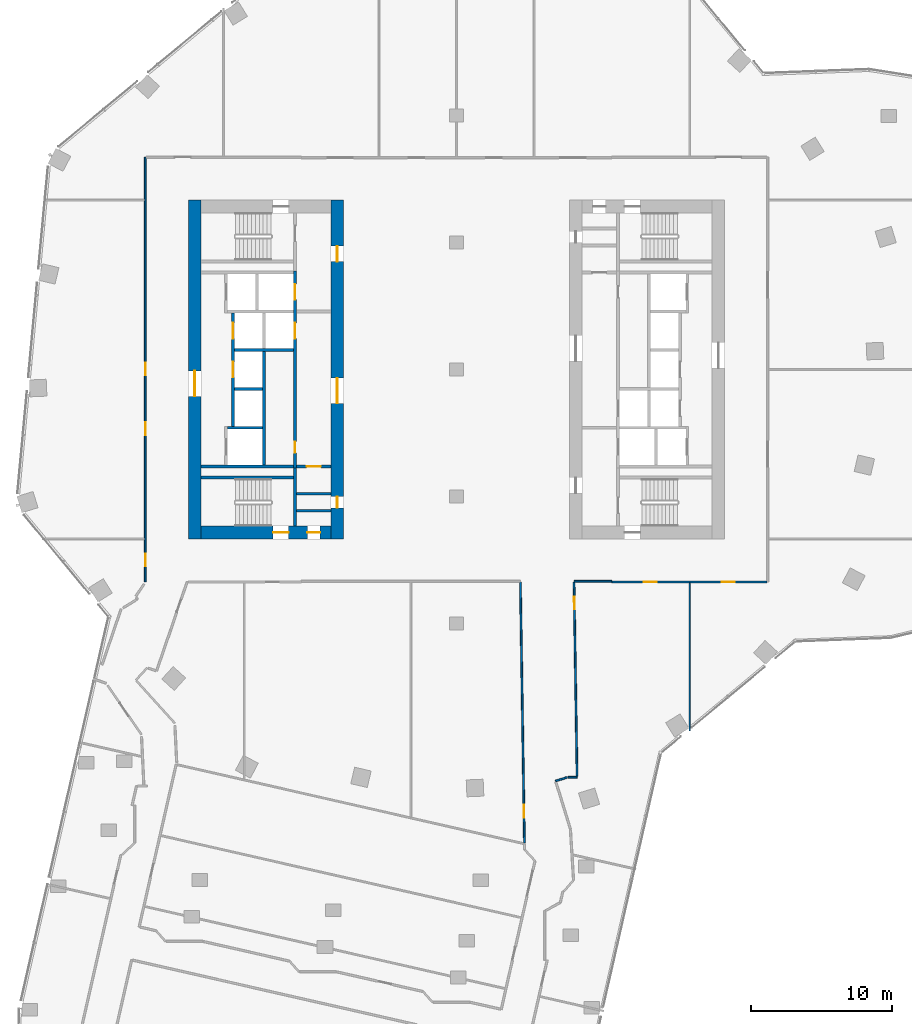
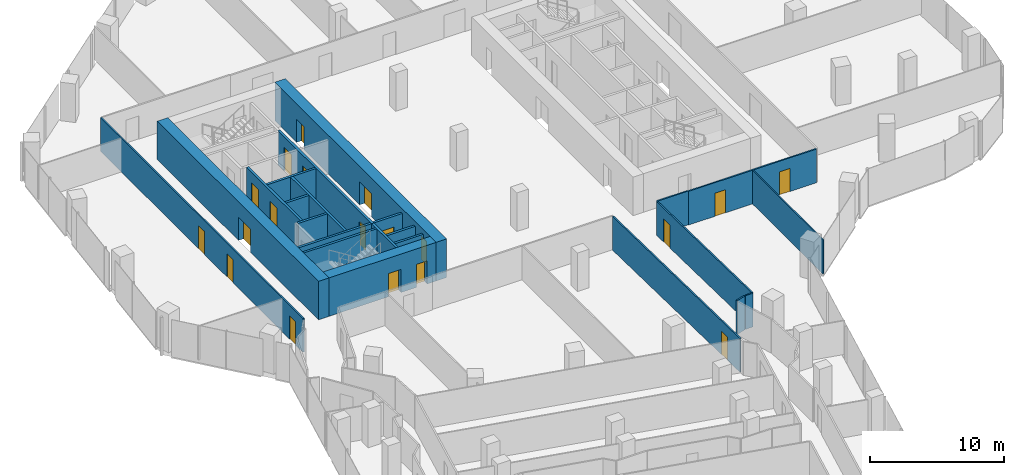
# One storey, part 20 of 24: 23 walls, 19 doors, 19 openings.
"""IFC4 building model written with IfcOpenShell, lengths in metres."""

from ifc_helpers import new_model, si_unit, direction, frame, frame_2d, origin, place, context, subcontext, project, spatial, rectangle, extrude, material, layer, layer_set, type_object, element, fill, save


model = new_model("IFC4")

# Units and contexts
model_context = context("Model", 3, precision=1e-05, world=origin(), true_north=direction((0.0, 1.0)))
body_context = subcontext(model_context, "Body", "Model", "MODEL_VIEW")
ifc_project = project(units=[si_unit("LENGTHUNIT", "METRE"), si_unit("AREAUNIT", "SQUARE_METRE"), si_unit("VOLUMEUNIT", "CUBIC_METRE"), si_unit("PLANEANGLEUNIT", "RADIAN"), si_unit("MASSUNIT", "GRAM", prefix="KILO")], contexts=[model_context])

# Site, building, storey
site_placement = place(None, origin())
site = spatial("IfcSite", under=ifc_project, at=site_placement, CompositionType="ELEMENT")
building_placement = place(site_placement, origin())
building = spatial("IfcBuilding", under=site, at=building_placement, Name="Orlundy Tower", CompositionType="ELEMENT")
storey_placement = place(building_placement, frame((0.0, 0.0, 177.60009765625)))
storey = spatial("IfcBuildingStorey", under=building, at=storey_placement, Name="L46", CompositionType="ELEMENT", Elevation=177.60009765625)

# Wall, openings, doors
ifc_material_1 = material(Name="Concrete C70/85", Category="concrete")
ifc_layer_1 = layer(ifc_material_1, 0.89990234375)
ifc_layer_set_1 = layer_set([ifc_layer_1], Name="CORE WALL 900 C70/85")
wall_type_1 = type_object("IfcWallType", Name="CORE WALL 900 C70/85", PredefinedType="SHEAR", material=ifc_layer_set_1)
wall_1_placement = place(storey_placement, frame((-18.10009765625, -11.550048828125, 0.0), z_axis=(0.0, 0.0, 1.0), x_axis=(1.0, 0.0, 0.0)))
wall_1 = element("IfcWall", 1, at=wall_1_placement, inside=storey, type_object=wall_type_1, Name="Core wall W-S L46", PredefinedType="SHEAR", context=body_context, shape_type="SweptSolid", body=[
    extrude(rectangle(XDim=9.2001953125, YDim=0.89990234375, at=frame_2d((4.60009765625, 0.0))), origin(), (0.0, 0.0, 1.0), 3.5),
])
opening_1_placement = place(wall_1_placement, frame((5.10009765625, 0.0, 0.0)))
opening_1 = element("IfcOpeningElement", 2, at=opening_1_placement, cuts=wall_1, Name="Opening 35012", PredefinedType="OPENING", context=body_context, shape_type="SweptSolid", body=[
    extrude(rectangle(XDim=1.10009765625, YDim=2.10009765625, at=frame_2d((0.550048828125, 1.050048828125))), frame((0.0, 0.4599609375, 0.0), z_axis=(0.0, -1.0, 0.0), x_axis=(1.0, 0.0, 0.0)), (0.0, 0.0, 1.0), 0.919921875),
])
opening_2_placement = place(wall_1_placement, frame((7.530029296875, 0.0, 0.0)))
opening_2 = element("IfcOpeningElement", 3, at=opening_2_placement, cuts=wall_1, Name="Opening 35014", PredefinedType="OPENING", context=body_context, shape_type="SweptSolid", body=[
    extrude(rectangle(XDim=0.89990234375, YDim=2.10009765625, at=frame_2d((0.449951171875, 1.050048828125))), frame((0.0, 0.4599609375, 0.0), z_axis=(0.0, -1.0, 0.0), x_axis=(1.0, 0.0, 0.0)), (0.0, 0.0, 1.0), 0.919921875),
])
ifc_material_2 = material(Name="Timber door set", Category="wood")
door_type_1 = type_object("IfcDoorType", Name="Room Door 900x2100", OperationType="SINGLE_SWING_LEFT", PredefinedType="DOOR", material=ifc_material_2)
door_1_placement = place(opening_2_placement, origin())
door_1 = element("IfcDoor", 4, at=door_1_placement, inside=storey, type_object=door_type_1, Name="Store door 35014", OperationType="SINGLE_SWING_RIGHT", OverallHeight=2.10009765625, OverallWidth=0.89990234375, PredefinedType="DOOR", context=body_context, shape_type="SweptSolid", body=[
    extrude(rectangle(XDim=0.89990234375, YDim=2.10009765625, at=frame_2d((0.449951171875, 1.050048828125))), frame((0.0, 0.02490234375, 0.0), z_axis=(0.0, -1.0, 0.0), x_axis=(1.0, 0.0, 0.0)), (0.0, 0.0, 1.0), 0.050048828125),
])
fill(opening_2, door_1)
ifc_material_3 = material(Name="Steel door set", Category="steel")
door_type_2 = type_object("IfcDoorType", Name="Stair Door 1100x2100", OperationType="SINGLE_SWING_LEFT", PredefinedType="DOOR", material=ifc_material_3)
door_2_placement = place(opening_1_placement, origin())
door_2 = element("IfcDoor", 5, at=door_2_placement, inside=storey, type_object=door_type_2, Name="Stair door 35012", OperationType="SINGLE_SWING_RIGHT", OverallHeight=2.10009765625, OverallWidth=1.10009765625, PredefinedType="DOOR", context=body_context, shape_type="SweptSolid", body=[
    extrude(rectangle(XDim=1.10009765625, YDim=2.10009765625, at=frame_2d((0.550048828125, 1.050048828125))), frame((0.0, 0.02490234375, 0.0), z_axis=(0.0, -1.0, 0.0), x_axis=(1.0, 0.0, 0.0)), (0.0, 0.0, 1.0), 0.050048828125),
])
fill(opening_1, door_2)

# Wall, opening, door
wall_2_placement = place(storey_placement, frame((-18.550048828125, -12.0, 0.0), z_axis=(0.0, 0.0, 1.0), x_axis=(0.0, 1.0, 0.0)))
wall_2 = element("IfcWall", 6, at=wall_2_placement, inside=storey, type_object=wall_type_1, Name="Core wall W-W L46", PredefinedType="SHEAR", context=body_context, shape_type="SweptSolid", body=[
    extrude(rectangle(XDim=24.0, YDim=0.89990234375, at=frame_2d((12.0, 0.0))), origin(), (0.0, 0.0, 1.0), 3.5),
])
opening_3_placement = place(wall_2_placement, frame((10.10009765625, 0.0, 0.0)))
opening_3 = element("IfcOpeningElement", 7, at=opening_3_placement, cuts=wall_2, Name="Opening 35009", PredefinedType="OPENING", context=body_context, shape_type="SweptSolid", body=[
    extrude(rectangle(XDim=1.800048828125, YDim=2.10009765625, at=frame_2d((0.89990234375, 1.050048828125))), frame((0.0, 0.4599609375, 0.0), z_axis=(0.0, -1.0, 0.0), x_axis=(1.0, 0.0, 0.0)), (0.0, 0.0, 1.0), 0.919921875),
])
ifc_material_4 = material(Name="Timber door set", Category="wood")
door_type_3 = type_object("IfcDoorType", Name="Lobby Door 1800x2100", OperationType="DOUBLE_DOOR_DOUBLE_SWING", PredefinedType="DOOR", material=ifc_material_4)
door_3_placement = place(opening_3_placement, origin())
door_3 = element("IfcDoor", 8, at=door_3_placement, inside=storey, type_object=door_type_3, Name="Lift lobby door 35009", OperationType="SINGLE_SWING_LEFT", OverallHeight=2.10009765625, OverallWidth=1.800048828125, PredefinedType="DOOR", context=body_context, shape_type="SweptSolid", body=[
    extrude(rectangle(XDim=1.800048828125, YDim=2.10009765625, at=frame_2d((0.89990234375, 1.050048828125))), frame((0.0, 0.02490234375, 0.0), z_axis=(0.0, -1.0, 0.0), x_axis=(1.0, 0.0, 0.0)), (0.0, 0.0, 1.0), 0.050048828125),
])
fill(opening_3, door_3)

# Wall, openings, doors
wall_3_placement = place(storey_placement, frame((-8.449951171875, -12.0, 0.0), z_axis=(0.0, 0.0, 1.0), x_axis=(0.0, 1.0, 0.0)))
wall_3 = element("IfcWall", 9, at=wall_3_placement, inside=storey, type_object=wall_type_1, Name="Core wall W-E L46", PredefinedType="SHEAR", context=body_context, shape_type="SweptSolid", body=[
    extrude(rectangle(XDim=24.0, YDim=0.89990234375, at=frame_2d((12.0, 0.0))), origin(), (0.0, 0.0, 1.0), 3.5),
])
opening_4_placement = place(wall_3_placement, frame((9.60009765625, 0.0, 0.0)))
opening_4 = element("IfcOpeningElement", 10, at=opening_4_placement, cuts=wall_3, Name="Opening 35008", PredefinedType="OPENING", context=body_context, shape_type="SweptSolid", body=[
    extrude(rectangle(XDim=1.800048828125, YDim=2.10009765625, at=frame_2d((0.89990234375, 1.050048828125))), frame((0.0, 0.4599609375, 0.0), z_axis=(0.0, -1.0, 0.0), x_axis=(1.0, 0.0, 0.0)), (0.0, 0.0, 1.0), 0.919921875),
])
opening_5_placement = place(wall_3_placement, frame((19.64990234375, 0.0, 0.0)))
opening_5 = element("IfcOpeningElement", 11, at=opening_5_placement, cuts=wall_3, Name="Opening 35010", PredefinedType="OPENING", context=body_context, shape_type="SweptSolid", body=[
    extrude(rectangle(XDim=1.10009765625, YDim=2.10009765625, at=frame_2d((0.550048828125, 1.050048828125))), frame((0.0, 0.4599609375, 0.0), z_axis=(0.0, -1.0, 0.0), x_axis=(1.0, 0.0, 0.0)), (0.0, 0.0, 1.0), 0.919921875),
])
opening_6_placement = place(wall_3_placement, frame((2.199951171875, 0.0, 0.0)))
opening_6 = element("IfcOpeningElement", 12, at=opening_6_placement, cuts=wall_3, Name="Opening 35015", PredefinedType="OPENING", context=body_context, shape_type="SweptSolid", body=[
    extrude(rectangle(XDim=0.800048828125, YDim=2.10009765625, at=frame_2d((0.39990234375, 1.050048828125))), frame((0.0, 0.4599609375, 0.0), z_axis=(0.0, -1.0, 0.0), x_axis=(1.0, 0.0, 0.0)), (0.0, 0.0, 1.0), 0.919921875),
])
ifc_material_5 = material(Name="Steel door set", Category="steel")
door_type_4 = type_object("IfcDoorType", Name="Fire-fighting Lobby Door 1100x2100", OperationType="SINGLE_SWING_LEFT", PredefinedType="DOOR", material=ifc_material_5)
door_4_placement = place(opening_5_placement, origin())
door_4 = element("IfcDoor", 13, at=door_4_placement, inside=storey, type_object=door_type_4, Name="Fire-fighting lobby door 35010", OperationType="SINGLE_SWING_RIGHT", OverallHeight=2.10009765625, OverallWidth=1.10009765625, PredefinedType="DOOR", context=body_context, shape_type="SweptSolid", body=[
    extrude(rectangle(XDim=1.10009765625, YDim=2.10009765625, at=frame_2d((0.550048828125, 1.050048828125))), frame((0.0, 0.02490234375, 0.0), z_axis=(0.0, -1.0, 0.0), x_axis=(1.0, 0.0, 0.0)), (0.0, 0.0, 1.0), 0.050048828125),
])
fill(opening_5, door_4)
door_5_placement = place(opening_4_placement, origin())
door_5 = element("IfcDoor", 14, at=door_5_placement, inside=storey, type_object=door_type_3, Name="Lift lobby door 35008", OperationType="SINGLE_SWING_LEFT", OverallHeight=2.10009765625, OverallWidth=1.800048828125, PredefinedType="DOOR", context=body_context, shape_type="SweptSolid", body=[
    extrude(rectangle(XDim=1.800048828125, YDim=2.10009765625, at=frame_2d((0.89990234375, 1.050048828125))), frame((0.0, 0.02490234375, 0.0), z_axis=(0.0, -1.0, 0.0), x_axis=(1.0, 0.0, 0.0)), (0.0, 0.0, 1.0), 0.050048828125),
])
fill(opening_4, door_5)
ifc_material_6 = material(Name="Timber door set", Category="wood")
door_type_5 = type_object("IfcDoorType", Name="Riser Door 800x2100", OperationType="SINGLE_SWING_LEFT", PredefinedType="DOOR", material=ifc_material_6)
door_6_placement = place(opening_6_placement, origin())
door_6 = element("IfcDoor", 15, at=door_6_placement, inside=storey, type_object=door_type_5, Name="Door 35015", OperationType="SINGLE_SWING_LEFT", OverallHeight=2.10009765625, OverallWidth=0.800048828125, PredefinedType="DOOR", context=body_context, shape_type="SweptSolid", body=[
    extrude(rectangle(XDim=0.800048828125, YDim=2.10009765625, at=frame_2d((0.39990234375, 1.050048828125))), frame((0.0, 0.02490234375, 0.0), z_axis=(0.0, -1.0, 0.0), x_axis=(1.0, 0.0, 0.0)), (0.0, 0.0, 1.0), 0.050048828125),
])
fill(opening_6, door_6)

# Wall
ifc_material_7 = material(Name="Gypsum board partition")
ifc_layer_2 = layer(ifc_material_7, 0.10009765625)
ifc_layer_set_2 = layer_set([ifc_layer_2], Name="Floor partition 100")
wall_type_2 = type_object("IfcWallType", Name="Floor partition 100", PredefinedType="PARTITIONING", material=ifc_layer_set_2)
wall_4_placement = place(storey_placement, frame((16.52099609375, -25.596923828125, 0.0), z_axis=(0.0, 0.0, 1.0), x_axis=(0.0, 1.0, 0.0)))
element("IfcWall", 16, at=wall_4_placement, inside=storey, type_object=wall_type_2, Name="wall-int-L46-071", PredefinedType="PARTITIONING", context=body_context, shape_type="SweptSolid", body=[
    extrude(rectangle(XDim=10.48291015625, YDim=0.10009765625, at=frame_2d((5.241455078125, 0.0))), origin(), (0.0, 0.0, 1.0), 3.059814453125),
])

# Wall, opening, door
ifc_material_8 = material(Name="Gypsum board partition, double layer")
ifc_layer_3 = layer(ifc_material_8, 0.125)
ifc_layer_set_3 = layer_set([ifc_layer_3], Name="Floor partition 125")
wall_type_3 = type_object("IfcWallType", Name="Floor partition 125", PredefinedType="PARTITIONING", material=ifc_layer_set_3)
wall_5_placement = place(storey_placement, frame((4.81103515625, -33.534912109375, 0.0), z_axis=(0.0, 0.0, 1.0), x_axis=(-0.015646006357, 0.999877593751, 0.0)))
wall_5 = element("IfcWall", 17, at=wall_5_placement, inside=storey, type_object=wall_type_3, Name="wall-int-L46-003", PredefinedType="PARTITIONING", context=body_context, shape_type="SweptSolid", body=[
    extrude(rectangle(XDim=18.47509765625, YDim=0.125, at=frame_2d((9.237548828125, 0.0))), origin(), (0.0, 0.0, 1.0), 3.059814453125),
])
opening_7_placement = place(wall_5_placement, frame((1.783203125, 0.0, 0.0)))
opening_7 = element("IfcOpeningElement", 18, at=opening_7_placement, cuts=wall_5, Name="Opening 35115", PredefinedType="OPENING", context=body_context, shape_type="SweptSolid", body=[
    extrude(rectangle(XDim=0.89990234375, YDim=2.10009765625, at=frame_2d((0.449951171875, 1.050048828125))), frame((0.0, 0.072509765625, 0.0), z_axis=(0.0, -1.0, 0.0), x_axis=(1.0, 0.0, 0.0)), (0.0, 0.0, 1.0), 0.14501953125),
])
ifc_material_9 = material(Name="Timber door leaf", Category="wood")
door_type_6 = type_object("IfcDoorType", Name="Floor door single 900 FD30S", OperationType="NOTDEFINED", PredefinedType="DOOR", material=ifc_material_9)
door_7_placement = place(opening_7_placement, origin())
door_7 = element("IfcDoor", 19, at=door_7_placement, inside=storey, type_object=door_type_6, Name="Door 35115", OperationType="SINGLE_SWING_LEFT", OverallHeight=2.10009765625, OverallWidth=0.89990234375, PredefinedType="DOOR", context=body_context, shape_type="SweptSolid", body=[
    extrude(rectangle(XDim=0.89990234375, YDim=2.10009765625, at=frame_2d((0.449951171875, 1.050048828125))), frame((0.0, 0.02490234375, 0.0), z_axis=(0.0, -1.0, 0.0), x_axis=(1.0, 0.0, 0.0)), (0.0, 0.0, 1.0), 0.050048828125),
])
fill(opening_7, door_7)

wall_6_placement = place(storey_placement, frame((8.323974609375, -15.06201171875, 0.0), z_axis=(0.0, 0.0, 1.0), x_axis=(0.015628358081, -0.999877869754, 0.0)))
wall_6 = element("IfcWall", 20, at=wall_6_placement, inside=storey, type_object=wall_type_3, Name="wall-int-L46-004", PredefinedType="PARTITIONING", context=body_context, shape_type="SweptSolid", body=[
    extrude(rectangle(XDim=13.7626953125, YDim=0.125, at=frame_2d((6.88134765625, 0.0))), origin(), (0.0, 0.0, 1.0), 3.059814453125),
])
opening_8_placement = place(wall_6_placement, frame((1.03759765625, 0.0, 0.0)))
opening_8 = element("IfcOpeningElement", 21, at=opening_8_placement, cuts=wall_6, Name="Opening 35116", PredefinedType="OPENING", context=body_context, shape_type="SweptSolid", body=[
    extrude(rectangle(XDim=0.89990234375, YDim=2.10009765625, at=frame_2d((0.449951171875, 1.050048828125))), frame((0.0, 0.072509765625, 0.0), z_axis=(0.0, -1.0, 0.0), x_axis=(1.0, 0.0, 0.0)), (0.0, 0.0, 1.0), 0.14501953125),
])
door_8_placement = place(opening_8_placement, origin())
door_8 = element("IfcDoor", 22, at=door_8_placement, inside=storey, type_object=door_type_6, Name="Door 35116", OperationType="SINGLE_SWING_LEFT", OverallHeight=2.10009765625, OverallWidth=0.89990234375, PredefinedType="DOOR", context=body_context, shape_type="SweptSolid", body=[
    extrude(rectangle(XDim=0.89990234375, YDim=2.10009765625, at=frame_2d((0.449951171875, 1.050048828125))), frame((0.0, 0.02490234375, 0.0), z_axis=(0.0, -1.0, 0.0), x_axis=(1.0, 0.0, 0.0)), (0.0, 0.0, 1.0), 0.050048828125),
])
fill(opening_8, door_8)

# Wall, openings, doors
wall_7_placement = place(storey_placement, frame((21.988037109375, -15.051025390625, 0.0), z_axis=(0.0, 0.0, 1.0), x_axis=(-1.0, 0.0, 0.0)))
wall_7 = element("IfcWall", 23, at=wall_7_placement, inside=storey, type_object=wall_type_3, Name="wall-int-L46-038", PredefinedType="PARTITIONING", context=body_context, shape_type="SweptSolid", body=[
    extrude(rectangle(XDim=10.9970703125, YDim=0.125, at=frame_2d((5.49853515625, 0.0))), origin(), (0.0, 0.0, 1.0), 3.059814453125),
])
opening_9_placement = place(wall_7_placement, frame((7.81640625, 0.0, 0.0)))
opening_9 = element("IfcOpeningElement", 24, at=opening_9_placement, cuts=wall_7, Name="Opening 35117", PredefinedType="OPENING", context=body_context, shape_type="SweptSolid", body=[
    extrude(rectangle(XDim=0.89990234375, YDim=2.10009765625, at=frame_2d((0.449951171875, 1.050048828125))), frame((0.0, 0.072509765625, 0.0), z_axis=(0.0, -1.0, 0.0), x_axis=(1.0, 0.0, 0.0)), (0.0, 0.0, 1.0), 0.14501953125),
])
opening_10_placement = place(wall_7_placement, frame((2.28759765625, 0.0, 0.0)))
opening_10 = element("IfcOpeningElement", 25, at=opening_10_placement, cuts=wall_7, Name="Opening 35118", PredefinedType="OPENING", context=body_context, shape_type="SweptSolid", body=[
    extrude(rectangle(XDim=0.89990234375, YDim=2.10009765625, at=frame_2d((0.449951171875, 1.050048828125))), frame((0.0, 0.072509765625, 0.0), z_axis=(0.0, -1.0, 0.0), x_axis=(1.0, 0.0, 0.0)), (0.0, 0.0, 1.0), 0.14501953125),
])
door_9_placement = place(opening_9_placement, origin())
door_9 = element("IfcDoor", 26, at=door_9_placement, inside=storey, type_object=door_type_6, Name="Door 35117", OperationType="SINGLE_SWING_RIGHT", OverallHeight=2.10009765625, OverallWidth=0.89990234375, PredefinedType="DOOR", context=body_context, shape_type="SweptSolid", body=[
    extrude(rectangle(XDim=0.89990234375, YDim=2.10009765625, at=frame_2d((0.449951171875, 1.050048828125))), frame((0.0, 0.02490234375, 0.0), z_axis=(0.0, -1.0, 0.0), x_axis=(1.0, 0.0, 0.0)), (0.0, 0.0, 1.0), 0.050048828125),
])
fill(opening_9, door_9)
door_10_placement = place(opening_10_placement, origin())
door_10 = element("IfcDoor", 27, at=door_10_placement, inside=storey, type_object=door_type_6, Name="Door 35118", OperationType="SINGLE_SWING_LEFT", OverallHeight=2.10009765625, OverallWidth=0.89990234375, PredefinedType="DOOR", context=body_context, shape_type="SweptSolid", body=[
    extrude(rectangle(XDim=0.89990234375, YDim=2.10009765625, at=frame_2d((0.449951171875, 1.050048828125))), frame((0.0, 0.02490234375, 0.0), z_axis=(0.0, -1.0, 0.0), x_axis=(1.0, 0.0, 0.0)), (0.0, 0.0, 1.0), 0.050048828125),
])
fill(opening_10, door_10)

# Walls
wall_8_placement = place(storey_placement, frame((8.322998046875, -15.0, 0.0), z_axis=(0.0, 0.0, 1.0), x_axis=(0.999999932961, -0.000366166215, 0.0)))
element("IfcWall", 28, at=wall_8_placement, inside=storey, type_object=wall_type_3, Name="wall-int-L46-040", PredefinedType="PARTITIONING", context=body_context, shape_type="SweptSolid", body=[
    extrude(rectangle(XDim=2.6669921875, YDim=0.125, at=frame_2d((1.33349609375, 0.0))), origin(), (0.0, 0.0, 1.0), 3.059814453125),
])
wall_9_placement = place(storey_placement, frame((7.902099609375, -28.89501953125, 0.0), z_axis=(0.0, 0.0, 1.0), x_axis=(0.999876922486, 0.015688845703, 0.0)))
element("IfcWall", 29, at=wall_9_placement, inside=storey, type_object=wall_type_3, Name="wall-int-L46-050", PredefinedType="PARTITIONING", context=body_context, shape_type="SweptSolid", body=[
    extrude(rectangle(XDim=0.637939453125, YDim=0.125, at=frame_2d((0.31884765625, 0.0))), origin(), (0.0, 0.0, 1.0), 3.059814453125),
])
wall_10_placement = place(storey_placement, frame((7.01611328125, -29.15087890625, 0.0), z_axis=(0.0, 0.0, 1.0), x_axis=(0.955337275677, 0.295517663943, 0.0)))
element("IfcWall", 30, at=wall_10_placement, inside=storey, type_object=wall_type_3, Name="wall-int-L46-052", PredefinedType="PARTITIONING", context=body_context, shape_type="SweptSolid", body=[
    extrude(rectangle(XDim=0.862548828125, YDim=0.125, at=frame_2d((0.43115234375, 0.0))), origin(), (0.0, 0.0, 1.0), 3.059814453125),
])

# Wall, openings, doors
wall_11_placement = place(storey_placement, frame((-22.050048828125, -15.051025390625, 0.0), z_axis=(0.0, 0.0, 1.0), x_axis=(0.0, 1.0, 0.0)))
wall_11 = element("IfcWall", 31, at=wall_11_placement, inside=storey, type_object=wall_type_3, Name="wall-int-L46-083", PredefinedType="PARTITIONING", context=body_context, shape_type="SweptSolid", body=[
    extrude(rectangle(XDim=30.10205078125, YDim=0.125, at=frame_2d((15.051025390625, 0.0))), origin(), (0.0, 0.0, 1.0), 3.059814453125),
])
opening_11_placement = place(wall_11_placement, frame((10.40087890625, 0.0, 0.0)))
opening_11 = element("IfcOpeningElement", 32, at=opening_11_placement, cuts=wall_11, Name="Opening 35109", PredefinedType="OPENING", context=body_context, shape_type="SweptSolid", body=[
    extrude(rectangle(XDim=0.89990234375, YDim=2.10009765625, at=frame_2d((0.449951171875, 1.050048828125))), frame((0.0, 0.072509765625, 0.0), z_axis=(0.0, -1.0, 0.0), x_axis=(1.0, 0.0, 0.0)), (0.0, 0.0, 1.0), 0.14501953125),
])
opening_12_placement = place(wall_11_placement, frame((14.65087890625, 0.0, 0.0)))
opening_12 = element("IfcOpeningElement", 33, at=opening_12_placement, cuts=wall_11, Name="Opening 35110", PredefinedType="OPENING", context=body_context, shape_type="SweptSolid", body=[
    extrude(rectangle(XDim=0.89990234375, YDim=2.10009765625, at=frame_2d((0.449951171875, 1.050048828125))), frame((0.0, 0.072509765625, 0.0), z_axis=(0.0, -1.0, 0.0), x_axis=(1.0, 0.0, 0.0)), (0.0, 0.0, 1.0), 0.14501953125),
])
opening_13_placement = place(wall_11_placement, frame((1.10009765625, 0.0, 0.0)))
opening_13 = element("IfcOpeningElement", 34, at=opening_13_placement, cuts=wall_11, Name="Opening 35111", PredefinedType="OPENING", context=body_context, shape_type="SweptSolid", body=[
    extrude(rectangle(XDim=0.89990234375, YDim=2.10009765625, at=frame_2d((0.449951171875, 1.050048828125))), frame((0.0, 0.072509765625, 0.0), z_axis=(0.0, -1.0, 0.0), x_axis=(1.0, 0.0, 0.0)), (0.0, 0.0, 1.0), 0.14501953125),
])
door_11_placement = place(opening_11_placement, origin())
door_11 = element("IfcDoor", 35, at=door_11_placement, inside=storey, type_object=door_type_6, Name="Door 35109", OperationType="SINGLE_SWING_LEFT", OverallHeight=2.10009765625, OverallWidth=0.89990234375, PredefinedType="DOOR", context=body_context, shape_type="SweptSolid", body=[
    extrude(rectangle(XDim=0.89990234375, YDim=2.10009765625, at=frame_2d((0.449951171875, 1.050048828125))), frame((0.0, 0.02490234375, 0.0), z_axis=(0.0, -1.0, 0.0), x_axis=(1.0, 0.0, 0.0)), (0.0, 0.0, 1.0), 0.050048828125),
])
fill(opening_11, door_11)
door_12_placement = place(opening_12_placement, origin())
door_12 = element("IfcDoor", 36, at=door_12_placement, inside=storey, type_object=door_type_6, Name="Door 35110", OperationType="SINGLE_SWING_RIGHT", OverallHeight=2.10009765625, OverallWidth=0.89990234375, PredefinedType="DOOR", context=body_context, shape_type="SweptSolid", body=[
    extrude(rectangle(XDim=0.89990234375, YDim=2.10009765625, at=frame_2d((0.449951171875, 1.050048828125))), frame((0.0, 0.02490234375, 0.0), z_axis=(0.0, -1.0, 0.0), x_axis=(1.0, 0.0, 0.0)), (0.0, 0.0, 1.0), 0.050048828125),
])
fill(opening_12, door_12)
door_13_placement = place(opening_13_placement, origin())
door_13 = element("IfcDoor", 37, at=door_13_placement, inside=storey, type_object=door_type_6, Name="Door 35111", OperationType="SINGLE_SWING_LEFT", OverallHeight=2.10009765625, OverallWidth=0.89990234375, PredefinedType="DOOR", context=body_context, shape_type="SweptSolid", body=[
    extrude(rectangle(XDim=0.89990234375, YDim=2.10009765625, at=frame_2d((0.449951171875, 1.050048828125))), frame((0.0, 0.02490234375, 0.0), z_axis=(0.0, -1.0, 0.0), x_axis=(1.0, 0.0, 0.0)), (0.0, 0.0, 1.0), 0.050048828125),
])
fill(opening_13, door_13)

# Walls
ifc_material_10 = material(Name="Concrete C40/50", Category="concrete")
ifc_layer_4 = layer(ifc_material_10, 0.199951171875)
ifc_layer_set_4 = layer_set([ifc_layer_4], Name="Load-bearing Shaft Wall 200")
wall_type_4 = type_object("IfcWallType", Name="Load-bearing Shaft Wall 200", PredefinedType="SOLIDWALL", material=ifc_layer_set_4)
wall_12_placement = place(storey_placement, frame((-11.43994140625, -11.10009765625, 0.0), z_axis=(0.0, 0.0, 1.0), x_axis=(0.0, 1.0, 0.0)))
element("IfcWall", 38, at=wall_12_placement, inside=storey, type_object=wall_type_4, Name="Shaft wall W35-stair-end-s", PredefinedType="SOLIDWALL", context=body_context, shape_type="SweptSolid", body=[
    extrude(rectangle(XDim=4.125, YDim=0.199951171875, at=frame_2d((2.0625, 0.0))), origin(), (0.0, 0.0, 1.0), 3.079833984375),
])
wall_13_placement = place(storey_placement, frame((-11.5400390625, -7.64990234375, 0.0), z_axis=(0.0, 0.0, 1.0), x_axis=(-1.0, 0.0, 0.0)))
element("IfcWall", 39, at=wall_13_placement, inside=storey, type_object=wall_type_4, Name="Shaft wall W35-stair-side-s", PredefinedType="SOLIDWALL", context=body_context, shape_type="SweptSolid", body=[
    extrude(rectangle(XDim=6.56005859375, YDim=0.199951171875, at=frame_2d((3.280029296875, 0.0))), origin(), (0.0, 0.0, 1.0), 3.079833984375),
])

# Wall, opening, door
ifc_material_11 = material(Name="Gypsum board partition on steel studs", Category="steel")
ifc_layer_5 = layer(ifc_material_11, 0.199951171875)
ifc_layer_set_5 = layer_set([ifc_layer_5], Name="Partition 200")
wall_type_5 = type_object("IfcWallType", Name="Partition 200", PredefinedType="PARTITIONING", material=ifc_layer_set_5)
wall_14_placement = place(storey_placement, frame((-8.89990234375, -6.875, 0.0), z_axis=(0.0, 0.0, 1.0), x_axis=(-1.0, 0.0, 0.0)))
wall_14 = element("IfcWall", 40, at=wall_14_placement, inside=storey, type_object=wall_type_5, Name="Partition wall W35-end-s", PredefinedType="PARTITIONING", context=body_context, shape_type="SweptSolid", body=[
    extrude(rectangle(XDim=2.440185546875, YDim=0.199951171875, at=frame_2d((1.22021484375, 0.0))), origin(), (0.0, 0.0, 1.0), 3.079833984375),
])
opening_14_placement = place(wall_14_placement, frame((0.719970703125, 0.0, 0.0)))
opening_14 = element("IfcOpeningElement", 41, at=opening_14_placement, cuts=wall_14, Name="Opening 35016", PredefinedType="OPENING", context=body_context, shape_type="SweptSolid", body=[
    extrude(rectangle(XDim=1.0, YDim=2.10009765625, at=frame_2d((0.5, 1.050048828125))), frame((0.0, 0.110107421875, 0.0), z_axis=(0.0, -1.0, 0.0), x_axis=(1.0, 0.0, 0.0)), (0.0, 0.0, 1.0), 0.22021484375),
])
ifc_material_12 = material(Name="Timber door set", Category="wood")
door_type_7 = type_object("IfcDoorType", Name="Accessible Door 1000x2100", OperationType="SINGLE_SWING_LEFT", PredefinedType="DOOR", material=ifc_material_12)
door_14_placement = place(opening_14_placement, origin())
door_14 = element("IfcDoor", 42, at=door_14_placement, inside=storey, type_object=door_type_7, Name="Accessible WC door 35016", OperationType="SINGLE_SWING_RIGHT", OverallHeight=2.10009765625, OverallWidth=1.0, PredefinedType="DOOR", context=body_context, shape_type="SweptSolid", body=[
    extrude(rectangle(XDim=1.0, YDim=2.10009765625, at=frame_2d((0.5, 1.050048828125))), frame((0.0, 0.02490234375, 0.0), z_axis=(0.0, -1.0, 0.0), x_axis=(1.0, 0.0, 0.0)), (0.0, 0.0, 1.0), 0.050048828125),
])
fill(opening_14, door_14)

# Walls
for number, where, z_axis, x_axis, name in (
    (43, (-8.89990234375, -10.0, 0.0), (0.0, 0.0, 1.0), (-1.0, 0.0, 0.0), "Partition wall W35-room-s0"),
    (44, (-8.89990234375, -8.800048828125, 0.0), (0.0, 0.0, 1.0), (-1.0, 0.0, 0.0), "Partition wall W35-room-s1"),
):
    element("IfcWall", number, at=place(storey_placement, frame(where, z_axis=z_axis, x_axis=x_axis)), inside=storey, type_object=wall_type_5, Name=name, PredefinedType="PARTITIONING", context=body_context, shape_type="SweptSolid", body=[
        extrude(rectangle(XDim=2.440185546875, YDim=0.199951171875, at=frame_2d((1.22021484375, 0.0))), origin(), (0.0, 0.0, 1.0), 3.079833984375),
    ])
ifc_material_13 = material(Name="Fire-rated blockwork shaft wall", Category="masonry")
ifc_layer_6 = layer(ifc_material_13, 0.199951171875)
ifc_layer_set_6 = layer_set([ifc_layer_6], Name="Shaft Wall 200")
wall_type_6 = type_object("IfcWallType", Name="Shaft Wall 200", PredefinedType="SOLIDWALL", material=ifc_layer_set_6)
wall_15_placement = place(storey_placement, frame((-11.5400390625, -6.875, 0.0), z_axis=(0.0, 0.0, 1.0), x_axis=(-1.0, 0.0, 0.0)))
element("IfcWall", 45, at=wall_15_placement, inside=storey, type_object=wall_type_6, Name="Shaft wall W35-zone-s", PredefinedType="SOLIDWALL", context=body_context, shape_type="SweptSolid", body=[
    extrude(rectangle(XDim=6.56005859375, YDim=0.199951171875, at=frame_2d((3.280029296875, 0.0))), origin(), (0.0, 0.0, 1.0), 3.079833984375),
])
wall_16_placement = place(storey_placement, frame((-13.739990234375, -4.125, 0.0), z_axis=(0.0, 0.0, 1.0), x_axis=(-1.0, 0.0, 0.0)))
element("IfcWall", 46, at=wall_16_placement, inside=storey, type_object=wall_type_6, Name="Shaft wall W35-cross-4.125", PredefinedType="SOLIDWALL", context=body_context, shape_type="SweptSolid", body=[
    extrude(rectangle(XDim=2.5, YDim=0.199951171875, at=frame_2d((1.25, 0.0))), origin(), (0.0, 0.0, 1.0), 3.079833984375),
])
wall_17_placement = place(storey_placement, frame((-13.739990234375, -1.375, 0.0), z_axis=(0.0, 0.0, 1.0), x_axis=(-1.0, 0.0, 0.0)))
element("IfcWall", 47, at=wall_17_placement, inside=storey, type_object=wall_type_6, Name="Shaft wall W35-cross-1.375", PredefinedType="SOLIDWALL", context=body_context, shape_type="SweptSolid", body=[
    extrude(rectangle(XDim=2.0, YDim=0.199951171875, at=frame_2d((1.0, 0.0))), origin(), (0.0, 0.0, 1.0), 3.079833984375),
])
wall_18_placement = place(storey_placement, frame((-11.5400390625, 1.375, 0.0), z_axis=(0.0, 0.0, 1.0), x_axis=(-1.0, 0.0, 0.0)))
element("IfcWall", 48, at=wall_18_placement, inside=storey, type_object=wall_type_6, Name="Shaft wall W35-cross+1.375", PredefinedType="SOLIDWALL", context=body_context, shape_type="SweptSolid", body=[
    extrude(rectangle(XDim=4.199951171875, YDim=0.199951171875, at=frame_2d((2.10009765625, 0.0))), origin(), (0.0, 0.0, 1.0), 3.079833984375),
])

# Wall, openings, doors
wall_19_placement = place(storey_placement, frame((-11.43994140625, -6.97509765625, 0.0), z_axis=(0.0, 0.0, 1.0), x_axis=(0.0, 1.0, 0.0)))
wall_19 = element("IfcWall", 49, at=wall_19_placement, inside=storey, type_object=wall_type_6, Name="Shaft wall W35-front-h", PredefinedType="SOLIDWALL", context=body_context, shape_type="SweptSolid", body=[
    extrude(rectangle(XDim=13.9501953125, YDim=0.199951171875, at=frame_2d((6.97509765625, 0.0))), origin(), (0.0, 0.0, 1.0), 3.079833984375),
])
opening_15_placement = place(wall_19_placement, frame((9.175048828125, 0.0, 0.0)))
opening_15 = element("IfcOpeningElement", 50, at=opening_15_placement, cuts=wall_19, Name="Opening 35003", PredefinedType="OPENING", context=body_context, shape_type="SweptSolid", body=[
    extrude(rectangle(XDim=1.10009765625, YDim=2.10009765625, at=frame_2d((0.550048828125, 1.050048828125))), frame((0.0, 0.110107421875, 0.0), z_axis=(0.0, -1.0, 0.0), x_axis=(1.0, 0.0, 0.0)), (0.0, 0.0, 1.0), 0.22021484375),
])
opening_16_placement = place(wall_19_placement, frame((11.925048828125, 0.0, 0.0)))
opening_16 = element("IfcOpeningElement", 51, at=opening_16_placement, cuts=wall_19, Name="Opening 35005", PredefinedType="OPENING", context=body_context, shape_type="SweptSolid", body=[
    extrude(rectangle(XDim=1.10009765625, YDim=2.10009765625, at=frame_2d((0.550048828125, 1.050048828125))), frame((0.0, 0.110107421875, 0.0), z_axis=(0.0, -1.0, 0.0), x_axis=(1.0, 0.0, 0.0)), (0.0, 0.0, 1.0), 0.22021484375),
])
opening_17_placement = place(wall_19_placement, frame((1.074951171875, 0.0, 0.0)))
opening_17 = element("IfcOpeningElement", 52, at=opening_17_placement, cuts=wall_19, Name="Opening 35007", PredefinedType="OPENING", context=body_context, shape_type="SweptSolid", body=[
    extrude(rectangle(XDim=0.800048828125, YDim=2.10009765625, at=frame_2d((0.39990234375, 1.050048828125))), frame((0.0, 0.110107421875, 0.0), z_axis=(0.0, -1.0, 0.0), x_axis=(1.0, 0.0, 0.0)), (0.0, 0.0, 1.0), 0.22021484375),
])
ifc_material_14 = material(Name="Steel door set", Category="steel")
door_type_8 = type_object("IfcDoorType", Name="Landing Door 1100x2100", OperationType="DOUBLE_DOOR_SLIDING", PredefinedType="DOOR", material=ifc_material_14)
door_15_placement = place(opening_15_placement, origin())
door_15 = element("IfcDoor", 53, at=door_15_placement, inside=storey, type_object=door_type_8, Name="Lift landing door LP-12 35003", OperationType="DOUBLE_DOOR_SLIDING", OverallHeight=2.10009765625, OverallWidth=1.10009765625, PredefinedType="DOOR", context=body_context, shape_type="SweptSolid", body=[
    extrude(rectangle(XDim=1.10009765625, YDim=2.10009765625, at=frame_2d((0.550048828125, 1.050048828125))), frame((0.0, 0.02490234375, 0.0), z_axis=(0.0, -1.0, 0.0), x_axis=(1.0, 0.0, 0.0)), (0.0, 0.0, 1.0), 0.050048828125),
])
fill(opening_15, door_15)
door_16_placement = place(opening_16_placement, origin())
door_16 = element("IfcDoor", 54, at=door_16_placement, inside=storey, type_object=door_type_8, Name="Lift landing door FL1 35005", OperationType="DOUBLE_DOOR_SLIDING", OverallHeight=2.10009765625, OverallWidth=1.10009765625, PredefinedType="DOOR", context=body_context, shape_type="SweptSolid", body=[
    extrude(rectangle(XDim=1.10009765625, YDim=2.10009765625, at=frame_2d((0.550048828125, 1.050048828125))), frame((0.0, 0.02490234375, 0.0), z_axis=(0.0, -1.0, 0.0), x_axis=(1.0, 0.0, 0.0)), (0.0, 0.0, 1.0), 0.050048828125),
])
fill(opening_16, door_16)
door_17_placement = place(opening_17_placement, origin())
door_17 = element("IfcDoor", 55, at=door_17_placement, inside=storey, type_object=door_type_5, Name="Telecom Room door 35007", OperationType="SINGLE_SWING_LEFT", OverallHeight=2.10009765625, OverallWidth=0.800048828125, PredefinedType="DOOR", context=body_context, shape_type="SweptSolid", body=[
    extrude(rectangle(XDim=0.800048828125, YDim=2.10009765625, at=frame_2d((0.39990234375, 1.050048828125))), frame((0.0, 0.02490234375, 0.0), z_axis=(0.0, -1.0, 0.0), x_axis=(1.0, 0.0, 0.0)), (0.0, 0.0, 1.0), 0.050048828125),
])
fill(opening_17, door_17)

# Wall
wall_20_placement = place(storey_placement, frame((-13.639892578125, -6.77490234375, 0.0), z_axis=(0.0, 0.0, 1.0), x_axis=(0.0, 1.0, 0.0)))
element("IfcWall", 56, at=wall_20_placement, inside=storey, type_object=wall_type_6, Name="Shaft wall W35-mid-a", PredefinedType="SOLIDWALL", context=body_context, shape_type="SweptSolid", body=[
    extrude(rectangle(XDim=8.0498046875, YDim=0.199951171875, at=frame_2d((4.02490234375, 0.0))), origin(), (0.0, 0.0, 1.0), 3.079833984375),
])

# Wall, openings, doors
wall_21_placement = place(storey_placement, frame((-15.840087890625, -4.02490234375, 0.0), z_axis=(0.0, 0.0, 1.0), x_axis=(0.0, 1.0, 0.0)))
wall_21 = element("IfcWall", 57, at=wall_21_placement, inside=storey, type_object=wall_type_6, Name="Shaft wall W35-front-o-b", PredefinedType="SOLIDWALL", context=body_context, shape_type="SweptSolid", body=[
    extrude(rectangle(XDim=8.0498046875, YDim=0.199951171875, at=frame_2d((4.02490234375, 0.0))), origin(), (0.0, 0.0, 1.0), 3.079833984375),
])
opening_18_placement = place(wall_21_placement, frame((3.47509765625, 0.0, 0.0)))
opening_18 = element("IfcOpeningElement", 58, at=opening_18_placement, cuts=wall_21, Name="Opening 35002", PredefinedType="OPENING", context=body_context, shape_type="SweptSolid", body=[
    extrude(rectangle(XDim=1.10009765625, YDim=2.10009765625, at=frame_2d((0.550048828125, 1.050048828125))), frame((0.0, 0.110107421875, 0.0), z_axis=(0.0, -1.0, 0.0), x_axis=(1.0, 0.0, 0.0)), (0.0, 0.0, 1.0), 0.22021484375),
])
opening_19_placement = place(wall_21_placement, frame((6.22509765625, 0.0, 0.0)))
opening_19 = element("IfcOpeningElement", 59, at=opening_19_placement, cuts=wall_21, Name="Opening 35004", PredefinedType="OPENING", context=body_context, shape_type="SweptSolid", body=[
    extrude(rectangle(XDim=1.10009765625, YDim=2.10009765625, at=frame_2d((0.550048828125, 1.050048828125))), frame((0.0, 0.110107421875, 0.0), z_axis=(0.0, -1.0, 0.0), x_axis=(1.0, 0.0, 0.0)), (0.0, 0.0, 1.0), 0.22021484375),
])
door_18_placement = place(opening_18_placement, origin())
door_18 = element("IfcDoor", 60, at=door_18_placement, inside=storey, type_object=door_type_8, Name="Lift landing door LP-11 35002", OperationType="DOUBLE_DOOR_SLIDING", OverallHeight=2.10009765625, OverallWidth=1.10009765625, PredefinedType="DOOR", context=body_context, shape_type="SweptSolid", body=[
    extrude(rectangle(XDim=1.10009765625, YDim=2.10009765625, at=frame_2d((0.550048828125, 1.050048828125))), frame((0.0, 0.02490234375, 0.0), z_axis=(0.0, -1.0, 0.0), x_axis=(1.0, 0.0, 0.0)), (0.0, 0.0, 1.0), 0.050048828125),
])
fill(opening_18, door_18)
door_19_placement = place(opening_19_placement, origin())
door_19 = element("IfcDoor", 61, at=door_19_placement, inside=storey, type_object=door_type_8, Name="Lift landing door LP-13 35004", OperationType="DOUBLE_DOOR_SLIDING", OverallHeight=2.10009765625, OverallWidth=1.10009765625, PredefinedType="DOOR", context=body_context, shape_type="SweptSolid", body=[
    extrude(rectangle(XDim=1.10009765625, YDim=2.10009765625, at=frame_2d((0.550048828125, 1.050048828125))), frame((0.0, 0.02490234375, 0.0), z_axis=(0.0, -1.0, 0.0), x_axis=(1.0, 0.0, 0.0)), (0.0, 0.0, 1.0), 0.050048828125),
])
fill(opening_19, door_19)

save(model, "model.ifc")
